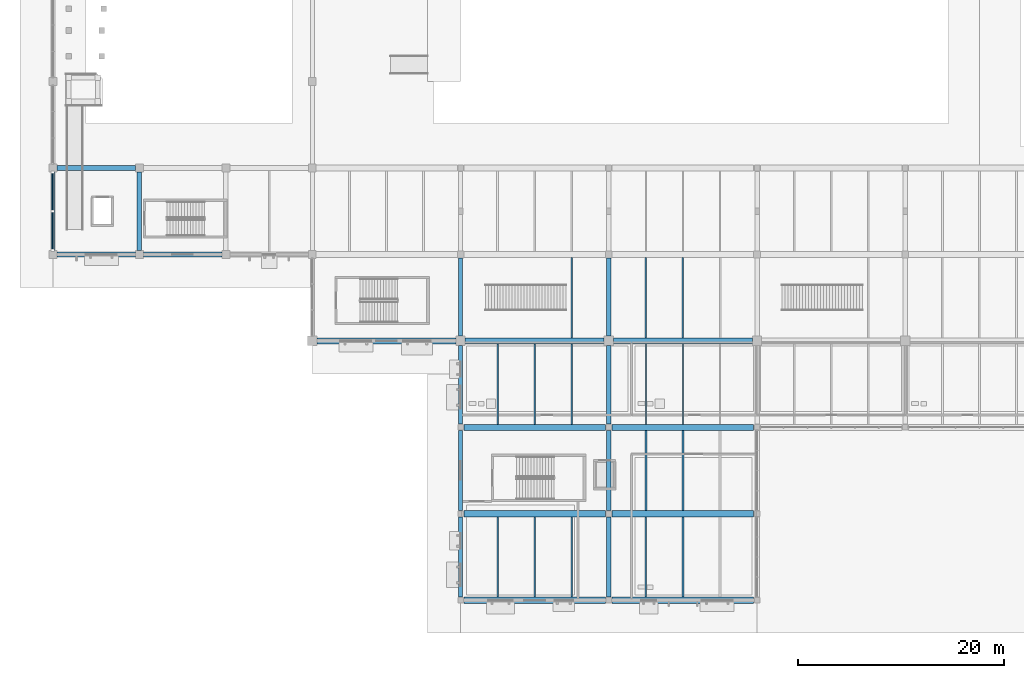
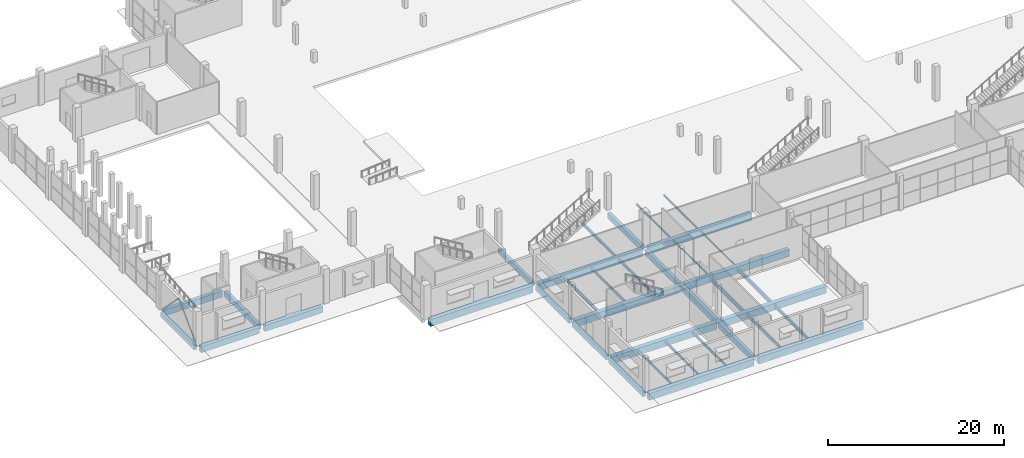
# One storey, part 13 of 130: 37 beams, 2 members.
"""IFC4 building model written with IfcOpenShell, lengths in metres."""

from ifc_helpers import new_model, si_unit, direction, frame, origin, origin_2d, place, context, subcontext, project, spatial, rectangle, hollow_rectangle, i_section, extrude, material, material_profile, profile_set, type_object, element, save


model = new_model("IFC4")

# Units and contexts
model_context = context("Model", 3, precision=1e-05, world=origin(), true_north=direction((0.0, 1.0)))
body_context = subcontext(model_context, "Body", "Model", "MODEL_VIEW")
ifc_project = project(units=[si_unit("LENGTHUNIT", "METRE"), si_unit("AREAUNIT", "SQUARE_METRE"), si_unit("VOLUMEUNIT", "CUBIC_METRE"), si_unit("PLANEANGLEUNIT", "RADIAN"), si_unit("MASSUNIT", "GRAM", prefix="KILO"), si_unit("THERMODYNAMICTEMPERATUREUNIT", "KELVIN")], contexts=[model_context])

# Site, building, storey
site_placement = place(None, origin())
site = spatial("IfcSite", under=ifc_project, at=site_placement, CompositionType="ELEMENT")
building_placement = place(site_placement, origin())
building = spatial("IfcBuilding", under=site, at=building_placement, Name="Nduvali Passage Aquatics Centre", CompositionType="ELEMENT")
storey_placement = place(building_placement, origin())
storey = spatial("IfcBuildingStorey", under=building, at=storey_placement, Name="L00", CompositionType="ELEMENT", Elevation=0.0)

# Beams
ifc_material_1 = material(Name="Concrete C40/50", Category="concrete")
ifc_material_profile_1 = material_profile(ifc_material_1, rectangle(XDim=0.449951171875, YDim=0.75, at=origin_2d()), Name="RC 450x750")
ifc_profile_set_1 = profile_set([ifc_material_profile_1], Name="Concrete C40/50")
beam_type_1 = type_object("IfcBeamType", Name="STR-BM-RC4575", PredefinedType="BEAM", material=ifc_profile_set_1)
beam_1_placement = place(storey_placement, frame((8.39990234375, 33.97509765625, -0.715087890625), z_axis=(0.0, 1.0, 0.0), x_axis=(-1.0, 0.0, 0.0)))
element("IfcBeam", 1, at=beam_1_placement, inside=storey, type_object=beam_type_1, Name="L00 Primary Y-Girder B3-0119", PredefinedType="BEAM", context=body_context, shape_type="SweptSolid", body=[
    extrude(rectangle(XDim=0.449951171875, YDim=0.75, at=origin_2d()), origin(), (0.0, 0.0, 1.0), 7.64990234375),
])
for number, where, z_axis, x_axis, name in (
    (2, (54.0, 0.324951171875, -0.675048828125), (0.0, 1.0, 0.0), (-1.0, 0.0, 0.0), "L00 Primary Y-Girder B3-0141"),
    (3, (54.0, 8.72509765625, -0.675048828125), (0.0, 1.0, 0.0), (-1.0, 0.0, 0.0), "L00 Primary Y-Girder B3-0142"),
):
    element("IfcBeam", number, at=place(storey_placement, frame(where, z_axis=z_axis, x_axis=x_axis)), inside=storey, type_object=beam_type_1, Name=name, PredefinedType="BEAM", context=body_context, shape_type="SweptSolid", body=[
        extrude(rectangle(XDim=0.449951171875, YDim=0.75, at=origin_2d()), origin(), (0.0, 0.0, 1.0), 7.75),
    ])
for number, where, z_axis, x_axis, name in (
    (4, (54.0, 17.125, -0.675048828125), (0.0, 1.0, 0.0), (-1.0, 0.0, 0.0), "L00 Primary Y-Girder B3-0143"),
    (5, (54.0, 25.64990234375, -0.695068359375), (0.0, 1.0, 0.0), (-1.0, 0.0, 0.0), "L00 Primary Y-Girder B3-0144"),
):
    element("IfcBeam", number, at=place(storey_placement, frame(where, z_axis=z_axis, x_axis=x_axis)), inside=storey, type_object=beam_type_1, Name=name, PredefinedType="BEAM", context=body_context, shape_type="SweptSolid", body=[
        extrude(rectangle(XDim=0.449951171875, YDim=0.75, at=origin_2d()), origin(), (0.0, 0.0, 1.0), 7.625),
    ])
ifc_material_profile_2 = material_profile(ifc_material_1, rectangle(XDim=0.5, YDim=0.85009765625, at=origin_2d()), Name="RC 500x850")
ifc_profile_set_2 = profile_set([ifc_material_profile_2], Name="Concrete C40/50")
beam_type_2 = type_object("IfcBeamType", Name="STR-BM-RC5085", PredefinedType="BEAM", material=ifc_profile_set_2)
beam_2_placement = place(storey_placement, frame((0.375, 33.60009765625, -0.764892578125), z_axis=(1.0, 0.0, 0.0), x_axis=(0.0, 1.0, 0.0)))
element("IfcBeam", 6, at=beam_2_placement, inside=storey, type_object=beam_type_2, Name="L00 Primary X-Girder B2-0025", PredefinedType="BEAM", context=body_context, shape_type="SweptSolid", body=[
    extrude(rectangle(XDim=0.5, YDim=0.85009765625, at=origin_2d()), origin(), (0.0, 0.0, 1.0), 7.64990234375),
])
beam_3_placement = place(storey_placement, frame((8.77490234375, 33.60009765625, -0.764892578125), z_axis=(1.0, 0.0, 0.0), x_axis=(0.0, 1.0, 0.0)))
element("IfcBeam", 7, at=beam_3_placement, inside=storey, type_object=beam_type_2, Name="L00 Primary X-Girder B2-0026", PredefinedType="BEAM", context=body_context, shape_type="SweptSolid", body=[
    extrude(rectangle(XDim=0.5, YDim=0.85009765625, at=origin_2d()), origin(), (0.0, 0.0, 1.0), 7.650146484375),
])
beam_4_placement = place(storey_placement, frame((0.375, 42.0, -0.764892578125), z_axis=(1.0, 0.0, 0.0), x_axis=(0.0, 1.0, 0.0)))
element("IfcBeam", 8, at=beam_4_placement, inside=storey, type_object=beam_type_2, Name="L00 Primary X-Girder B2-0038", PredefinedType="BEAM", context=body_context, shape_type="SweptSolid", body=[
    extrude(rectangle(XDim=0.5, YDim=0.85009765625, at=origin_2d()), origin(), (0.0, 0.0, 1.0), 7.64990234375),
])
ifc_material_profile_3 = material_profile(ifc_material_1, rectangle(XDim=0.60009765625, YDim=0.949951171875, at=origin_2d()), Name="RC 600x950")
ifc_profile_set_3 = profile_set([ifc_material_profile_3], Name="Concrete C40/50")
beam_type_3 = type_object("IfcBeamType", Name="STR-BM-RC6095", PredefinedType="BEAM", material=ifc_profile_set_3)
for number, where, z_axis, x_axis, name in (
    (9, (39.925048828125, 8.39990234375, -0.77490234375), (1.0, 0.0, 0.0), (0.0, 1.0, 0.0), "L00 Primary X-Girder B1-0005"),
    (10, (54.324951171875, 8.39990234375, -0.77490234375), (1.0, 0.0, 0.0), (0.0, 1.0, 0.0), "L00 Primary X-Girder B1-0006"),
    (11, (39.925048828125, 16.800048828125, -0.77490234375), (1.0, 0.0, 0.0), (0.0, 1.0, 0.0), "L00 Primary X-Girder B1-0009"),
    (12, (54.324951171875, 16.800048828125, -0.77490234375), (1.0, 0.0, 0.0), (0.0, 1.0, 0.0), "L00 Primary X-Girder B1-0010"),
):
    element("IfcBeam", number, at=place(storey_placement, frame(where, z_axis=z_axis, x_axis=x_axis)), inside=storey, type_object=beam_type_3, Name=name, PredefinedType="BEAM", context=body_context, shape_type="SweptSolid", body=[
        extrude(rectangle(XDim=0.60009765625, YDim=0.949951171875, at=origin_2d()), origin(), (0.0, 0.0, 1.0), 13.75),
    ])
ifc_material_profile_4 = material_profile(ifc_material_1, rectangle(XDim=0.60009765625, YDim=0.949951171875, at=origin_2d()), Name="RC 600x950")
ifc_profile_set_4 = profile_set([ifc_material_profile_4], Name="Concrete C40/50")
beam_type_4 = type_object("IfcBeamType", Name="STR-BM-RC6095-EXT", PredefinedType="BEAM", material=ifc_profile_set_4)
for number, where, z_axis, x_axis, name in (
    (13, (39.925048828125, 0.0, -0.77490234375), (1.0, 0.0, 0.0), (0.0, 1.0, 0.0), "L00 Primary X-Girder B1E-0001"),
    (14, (54.324951171875, 0.0, -0.77490234375), (1.0, 0.0, 0.0), (0.0, 1.0, 0.0), "L00 Primary X-Girder B1E-0002"),
):
    element("IfcBeam", number, at=place(storey_placement, frame(where, z_axis=z_axis, x_axis=x_axis)), inside=storey, type_object=beam_type_4, Name=name, PredefinedType="BEAM", context=body_context, shape_type="SweptSolid", body=[
        extrude(rectangle(XDim=0.60009765625, YDim=0.949951171875, at=origin_2d()), origin(), (0.0, 0.0, 1.0), 13.75),
    ])
for number, where, z_axis, x_axis, name in (
    (15, (25.64990234375, 25.199951171875, -0.794921875), (1.0, 0.0, 0.0), (0.0, 1.0, 0.0), "L00 Primary X-Girder B1E-0015"),
    (16, (40.050048828125, 25.199951171875, -0.794921875), (1.0, 0.0, 0.0), (0.0, 1.0, 0.0), "L00 Primary X-Girder B1E-0016"),
    (17, (54.449951171875, 25.199951171875, -0.794921875), (1.0, 0.0, 0.0), (0.0, 1.0, 0.0), "L00 Primary X-Girder B1E-0017"),
):
    element("IfcBeam", number, at=place(storey_placement, frame(where, z_axis=z_axis, x_axis=x_axis)), inside=storey, type_object=beam_type_4, Name=name, PredefinedType="BEAM", context=body_context, shape_type="SweptSolid", body=[
        extrude(rectangle(XDim=0.60009765625, YDim=0.949951171875, at=origin_2d()), origin(), (0.0, 0.0, 1.0), 13.5),
    ])
ifc_material_2 = material(Name="Steel S355", Category="steel")
ifc_material_profile_5 = material_profile(ifc_material_2, i_section(OverallWidth=0.10009765625, OverallDepth=0.199951171875, WebThickness=0.005615234375, FlangeThickness=0.008544921875, FilletRadius=0.011962890625, at=origin_2d()), Name="IPE 200")
ifc_profile_set_5 = profile_set([ifc_material_profile_5], Name="Steel S355")
beam_type_5 = type_object("IfcBeamType", Name="STR-JST-IPE200", PredefinedType="JOIST", material=ifc_profile_set_5)
for number, where, z_axis, x_axis, name in (
    (18, (57.60009765625, 17.10009765625, -0.404052734375), (0.0, 1.0, 0.0), (-1.0, 0.0, 0.0), "L00 Secondary Joist J9A-0276"),
    (19, (61.199951171875, 17.10009765625, -0.404052734375), (0.0, 1.0, 0.0), (-1.0, 0.0, 0.0), "L00 Secondary Joist J9A-0277"),
):
    element("IfcBeam", number, at=place(storey_placement, frame(where, z_axis=z_axis, x_axis=x_axis)), inside=storey, type_object=beam_type_5, Name=name, PredefinedType="JOIST", context=body_context, shape_type="SweptSolid", body=[
        extrude(i_section(OverallWidth=0.10009765625, OverallDepth=0.199951171875, WebThickness=0.005615234375, FlangeThickness=0.008544921875, FilletRadius=0.011962890625, at=origin_2d()), origin(), (0.0, 0.0, 1.0), 7.7998046875),
    ])
ifc_material_profile_6 = material_profile(ifc_material_2, i_section(OverallWidth=0.179931640625, OverallDepth=0.39990234375, WebThickness=0.008544921875, FlangeThickness=0.013427734375, FilletRadius=0.02099609375, at=origin_2d()), Name="IPE 400")
ifc_profile_set_6 = profile_set([ifc_material_profile_6], Name="Steel S355")
beam_type_6 = type_object("IfcBeamType", Name="STR-JST-IPE400", PredefinedType="JOIST", material=ifc_profile_set_6)
beam_5_placement = place(storey_placement, frame((50.39990234375, 25.5, -0.52392578125), z_axis=(0.0, 1.0, 0.0), x_axis=(-1.0, 0.0, 0.0)))
element("IfcBeam", 20, at=beam_5_placement, inside=storey, type_object=beam_type_6, Name="L00 Secondary Joist J5-0291", PredefinedType="JOIST", context=body_context, shape_type="SweptSolid", body=[
    extrude(i_section(OverallWidth=0.179931640625, OverallDepth=0.39990234375, WebThickness=0.008544921875, FlangeThickness=0.013427734375, FilletRadius=0.02099609375, at=origin_2d()), origin(), (0.0, 0.0, 1.0), 7.800048828125),
])
ifc_material_profile_7 = material_profile(ifc_material_2, i_section(OverallWidth=0.2099609375, OverallDepth=0.550048828125, WebThickness=0.010986328125, FlangeThickness=0.01708984375, FilletRadius=0.02392578125, at=origin_2d()), Name="IPE 550")
ifc_profile_set_7 = profile_set([ifc_material_profile_7], Name="Steel S355")
beam_type_7 = type_object("IfcBeamType", Name="STR-JST-IPE550", PredefinedType="JOIST", material=ifc_profile_set_7)
for number, where, z_axis, x_axis, name in (
    (21, (57.60009765625, 8.699951171875, -0.5791015625), (0.0, 1.0, 0.0), (-1.0, 0.0, 0.0), "L00 Secondary Joist J5C-0267"),
    (22, (61.199951171875, 8.699951171875, -0.5791015625), (0.0, 1.0, 0.0), (-1.0, 0.0, 0.0), "L00 Secondary Joist J5C-0268"),
):
    element("IfcBeam", number, at=place(storey_placement, frame(where, z_axis=z_axis, x_axis=x_axis)), inside=storey, type_object=beam_type_7, Name=name, PredefinedType="JOIST", context=body_context, shape_type="SweptSolid", body=[
        extrude(i_section(OverallWidth=0.2099609375, OverallDepth=0.550048828125, WebThickness=0.010986328125, FlangeThickness=0.01708984375, FilletRadius=0.02392578125, at=origin_2d()), origin(), (0.0, 0.0, 1.0), 7.800048828125),
    ])
ifc_material_profile_8 = material_profile(ifc_material_2, i_section(OverallWidth=0.146484375, OverallDepth=0.256103515625, WebThickness=0.00634765625, FlangeThickness=0.010986328125, FilletRadius=0.007568359375, at=origin_2d()), Name="UKB 254x146x37")
ifc_profile_set_8 = profile_set([ifc_material_profile_8], Name="Steel S355")
beam_type_8 = type_object("IfcBeamType", Name="STR-JST-UKB254", PredefinedType="JOIST", material=ifc_profile_set_8)
for number, where, z_axis, x_axis, name in (
    (23, (57.60009765625, 25.5, -0.451904296875), (0.0, 1.0, 0.0), (-1.0, 0.0, 0.0), "L00 Secondary Joist J4-0292"),
    (24, (61.199951171875, 25.5, -0.451904296875), (0.0, 1.0, 0.0), (-1.0, 0.0, 0.0), "L00 Secondary Joist J4-0293"),
):
    element("IfcBeam", number, at=place(storey_placement, frame(where, z_axis=z_axis, x_axis=x_axis)), inside=storey, type_object=beam_type_8, Name=name, PredefinedType="JOIST", context=body_context, shape_type="SweptSolid", body=[
        extrude(i_section(OverallWidth=0.146484375, OverallDepth=0.256103515625, WebThickness=0.00634765625, FlangeThickness=0.010986328125, FilletRadius=0.007568359375, at=origin_2d()), origin(), (0.0, 0.0, 1.0), 7.800048828125),
    ])
ifc_material_profile_9 = material_profile(ifc_material_2, i_section(OverallWidth=0.1259765625, OverallDepth=0.353515625, WebThickness=0.006591796875, FlangeThickness=0.0107421875, FilletRadius=0.01025390625, at=origin_2d()), Name="UKB 356x127x39")
ifc_profile_set_9 = profile_set([ifc_material_profile_9], Name="Steel S355")
beam_type_9 = type_object("IfcBeamType", Name="STR-JST-UKB356L", PredefinedType="JOIST", material=ifc_profile_set_9)
for number, where, z_axis, x_axis, name in (
    (25, (43.199951171875, 0.300048828125, -0.480712890625), (0.0, 1.0, 0.0), (-1.0, 0.0, 0.0), "L00 Secondary Joist J2A-0255"),
    (26, (46.800048828125, 0.300048828125, -0.480712890625), (0.0, 1.0, 0.0), (-1.0, 0.0, 0.0), "L00 Secondary Joist J2A-0256"),
    (27, (50.39990234375, 0.300048828125, -0.480712890625), (0.0, 1.0, 0.0), (-1.0, 0.0, 0.0), "L00 Secondary Joist J2A-0257"),
):
    element("IfcBeam", number, at=place(storey_placement, frame(where, z_axis=z_axis, x_axis=x_axis)), inside=storey, type_object=beam_type_9, Name=name, PredefinedType="JOIST", context=body_context, shape_type="SweptSolid", body=[
        extrude(i_section(OverallWidth=0.1259765625, OverallDepth=0.353515625, WebThickness=0.006591796875, FlangeThickness=0.0107421875, FilletRadius=0.01025390625, at=origin_2d()), origin(), (0.0, 0.0, 1.0), 7.800048828125),
    ])
ifc_material_profile_10 = material_profile(ifc_material_2, i_section(OverallWidth=0.14208984375, OverallDepth=0.4033203125, WebThickness=0.0068359375, FlangeThickness=0.01123046875, FilletRadius=0.01025390625, at=origin_2d()), Name="UKB 406x140x46")
ifc_profile_set_10 = profile_set([ifc_material_profile_10], Name="Steel S355")
beam_type_10 = type_object("IfcBeamType", Name="STR-JST-UKB406L", PredefinedType="JOIST", material=ifc_profile_set_10)
for number, where, z_axis, x_axis, name in (
    (28, (43.199951171875, 17.10009765625, -0.505615234375), (0.0, 1.0, 0.0), (-1.0, 0.0, 0.0), "L00 Secondary Joist J1B-0273"),
    (29, (46.800048828125, 17.10009765625, -0.505615234375), (0.0, 1.0, 0.0), (-1.0, 0.0, 0.0), "L00 Secondary Joist J1B-0274"),
    (30, (50.39990234375, 17.10009765625, -0.505615234375), (0.0, 1.0, 0.0), (-1.0, 0.0, 0.0), "L00 Secondary Joist J1B-0275"),
):
    element("IfcBeam", number, at=place(storey_placement, frame(where, z_axis=z_axis, x_axis=x_axis)), inside=storey, type_object=beam_type_10, Name=name, PredefinedType="JOIST", context=body_context, shape_type="SweptSolid", body=[
        extrude(i_section(OverallWidth=0.14208984375, OverallDepth=0.4033203125, WebThickness=0.0068359375, FlangeThickness=0.01123046875, FilletRadius=0.01025390625, at=origin_2d()), origin(), (0.0, 0.0, 1.0), 7.7998046875),
    ])
ifc_material_profile_11 = material_profile(ifc_material_2, i_section(OverallWidth=0.15283203125, OverallDepth=0.45458984375, WebThickness=0.008056640625, FlangeThickness=0.01318359375, FilletRadius=0.01025390625, at=origin_2d()), Name="UKB 457x152x60")
ifc_profile_set_11 = profile_set([ifc_material_profile_11], Name="Steel S355")
beam_type_11 = type_object("IfcBeamType", Name="STR-JST-UKB457L", PredefinedType="JOIST", material=ifc_profile_set_11)
for number, where, z_axis, x_axis, name in (
    (31, (57.60009765625, 0.300048828125, -0.53125), (0.0, 1.0, 0.0), (-1.0, 0.0, 0.0), "L00 Secondary Joist J1A-0258"),
    (32, (61.199951171875, 0.300048828125, -0.53125), (0.0, 1.0, 0.0), (-1.0, 0.0, 0.0), "L00 Secondary Joist J1A-0259"),
):
    element("IfcBeam", number, at=place(storey_placement, frame(where, z_axis=z_axis, x_axis=x_axis)), inside=storey, type_object=beam_type_11, Name=name, PredefinedType="JOIST", context=body_context, shape_type="SweptSolid", body=[
        extrude(i_section(OverallWidth=0.15283203125, OverallDepth=0.45458984375, WebThickness=0.008056640625, FlangeThickness=0.01318359375, FilletRadius=0.01025390625, at=origin_2d()), origin(), (0.0, 0.0, 1.0), 7.800048828125),
    ])

# Members
ifc_material_profile_12 = material_profile(ifc_material_2, hollow_rectangle(XDim=0.10009765625, YDim=0.199951171875, WallThickness=0.00634765625, at=origin_2d()), Name="RHS 200x100x6.3")
ifc_profile_set_12 = profile_set([ifc_material_profile_12], Name="Steel S355")
member_type = type_object("IfcMemberType", Name="STR-MEM-RHS200", PredefinedType="BRACE", material=ifc_profile_set_12)
for number, where, z_axis, x_axis, name in (
    (33, (0.0, 34.0, 0.0), (0.0, 0.702465710761, 0.711717588096), (-1.0, 0.0, 0.0), "L00 Chevron Frame Brace 1L"),
    (34, (0.0, 41.60009765625, 0.0), (0.0, -0.702465710761, 0.711717588096), (1.0, 0.0, 0.0), "L00 Chevron Frame Brace 1R"),
):
    element("IfcMember", number, at=place(storey_placement, frame(where, z_axis=z_axis, x_axis=x_axis)), inside=storey, type_object=member_type, Name=name, PredefinedType="BRACE", context=body_context, shape_type="SweptSolid", body=[
        extrude(hollow_rectangle(XDim=0.10009765625, YDim=0.199951171875, WallThickness=0.00634765625, at=origin_2d()), origin(), (0.0, 0.0, 1.0), 5.40966796875),
    ])

# Beams
ifc_material_profile_13 = material_profile(ifc_material_1, rectangle(XDim=0.39990234375, YDim=0.64990234375, at=origin_2d()), Name="RC 400x650")
ifc_profile_set_13 = profile_set([ifc_material_profile_13], Name="Concrete C40/50")
beam_type_12 = type_object("IfcBeamType", Name="STR-SPN-RC4065-EXT", PredefinedType="SPANDREL", material=ifc_profile_set_13)
beam_6_placement = place(storey_placement, frame((0.0, 33.97509765625, -0.6650390625), z_axis=(0.0, 1.0, 0.0), x_axis=(-1.0, 0.0, 0.0)))
element("IfcBeam", 35, at=beam_6_placement, inside=storey, type_object=beam_type_12, Name="L00 Primary Y-Girder SP1E-0113", PredefinedType="SPANDREL", context=body_context, shape_type="SweptSolid", body=[
    extrude(rectangle(XDim=0.39990234375, YDim=0.64990234375, at=origin_2d()), origin(), (0.0, 0.0, 1.0), 7.64990234375),
])
for number, where, z_axis, x_axis, name in (
    (36, (39.60009765625, 0.324951171875, -0.625), (0.0, 1.0, 0.0), (-1.0, 0.0, 0.0), "L00 Primary Y-Girder SP1E-0131"),
    (37, (39.60009765625, 8.72509765625, -0.625), (0.0, 1.0, 0.0), (-1.0, 0.0, 0.0), "L00 Primary Y-Girder SP1E-0132"),
):
    element("IfcBeam", number, at=place(storey_placement, frame(where, z_axis=z_axis, x_axis=x_axis)), inside=storey, type_object=beam_type_12, Name=name, PredefinedType="SPANDREL", context=body_context, shape_type="SweptSolid", body=[
        extrude(rectangle(XDim=0.39990234375, YDim=0.64990234375, at=origin_2d()), origin(), (0.0, 0.0, 1.0), 7.75),
    ])
for number, where, z_axis, x_axis, name in (
    (38, (39.60009765625, 17.125, -0.625), (0.0, 1.0, 0.0), (-1.0, 0.0, 0.0), "L00 Primary Y-Girder SP1E-0133"),
    (39, (39.60009765625, 25.64990234375, -0.64501953125), (0.0, 1.0, 0.0), (-1.0, 0.0, 0.0), "L00 Primary Y-Girder SP1E-0134"),
):
    element("IfcBeam", number, at=place(storey_placement, frame(where, z_axis=z_axis, x_axis=x_axis)), inside=storey, type_object=beam_type_12, Name=name, PredefinedType="SPANDREL", context=body_context, shape_type="SweptSolid", body=[
        extrude(rectangle(XDim=0.39990234375, YDim=0.64990234375, at=origin_2d()), origin(), (0.0, 0.0, 1.0), 7.625),
    ])

save(model, "model.ifc")
